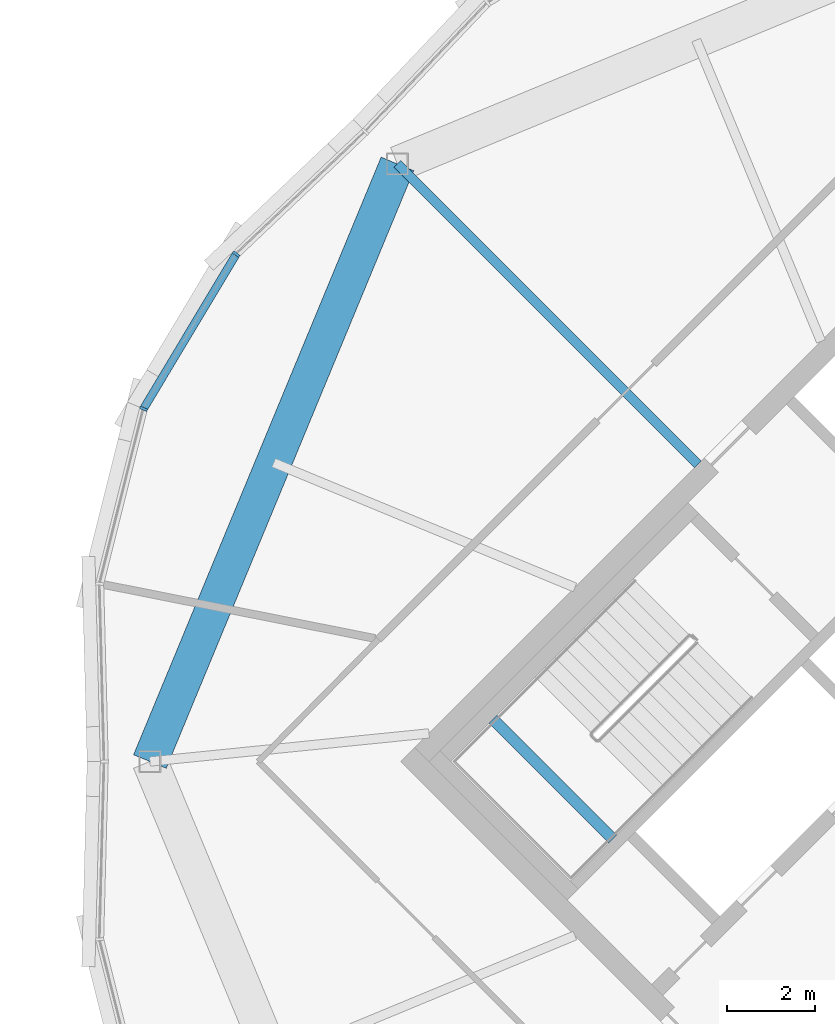
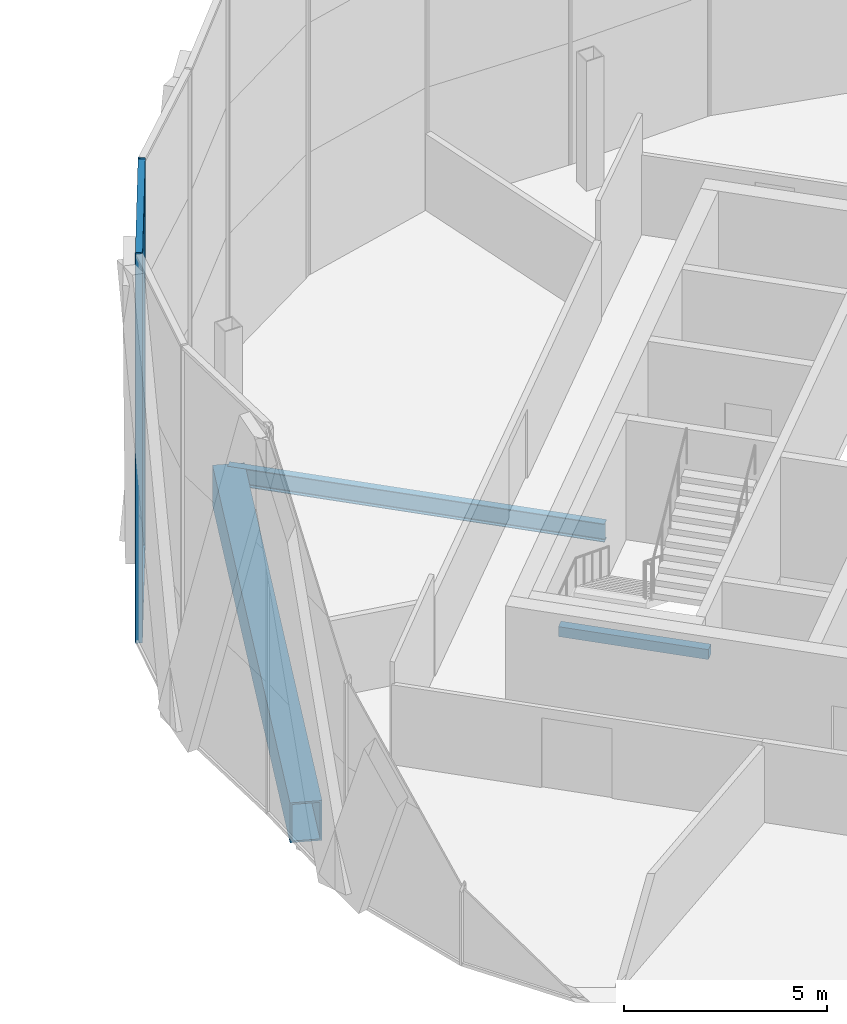
# One storey, part 9 of 22: 4 members, 3 beams, 1 element without a shape of its own.
"""IFC4 building model written with IfcOpenShell, lengths in metres."""

from ifc_helpers import new_model, si_unit, direction, frame, origin, origin_2d, place, context, subcontext, project, spatial, rectangle, hollow_rectangle, i_section, extrude, material, material_profile, profile_set, type_object, element, aggregate, save


model = new_model("IFC4")

# Units and contexts
model_context = context("Model", 3, precision=1e-05, world=origin(), true_north=direction((0.0, 1.0)))
body_context = subcontext(model_context, "Body", "Model", "MODEL_VIEW")
ifc_project = project(units=[si_unit("LENGTHUNIT", "METRE"), si_unit("AREAUNIT", "SQUARE_METRE"), si_unit("VOLUMEUNIT", "CUBIC_METRE"), si_unit("PLANEANGLEUNIT", "RADIAN"), si_unit("MASSUNIT", "GRAM", prefix="KILO")], contexts=[model_context])

# Site, building, storey
site_placement = place(None, origin())
site = spatial("IfcSite", under=ifc_project, at=site_placement, CompositionType="ELEMENT")
building_placement = place(site_placement, origin())
building = spatial("IfcBuilding", under=site, at=building_placement, Name="Ogive Gate Towers", CompositionType="ELEMENT")
storey_placement = place(building_placement, frame((0.0, 0.0, 228.89990234375)))
storey = spatial("IfcBuildingStorey", under=building, at=storey_placement, Name="L54", CompositionType="ELEMENT", Elevation=228.89990234375)

# Beams
ifc_material_1 = material(Name="Steel SM460", Category="steel")
ifc_material_profile_1 = material_profile(ifc_material_1, hollow_rectangle(XDim=0.800048828125, YDim=1.199951171875, WallThickness=0.050048828125, at=origin_2d()), Name="BX 1200x800x50")
ifc_profile_set_1 = profile_set([ifc_material_profile_1], Name="Steel SM460")
beam_type_1 = type_object("IfcBeamType", Name="Edge girder BX 1200x800x50", PredefinedType="BEAM", material=ifc_profile_set_1)
beam_1_placement = place(storey_placement, frame((22.4873046875, 13.5126953125, -0.89990234375), z_axis=(-0.38269921506, -0.923872994947, 0.0), x_axis=(0.923872994947, -0.38269921506, 0.0)))
element("IfcBeam", 1, at=beam_1_placement, inside=storey, type_object=beam_type_1, Name="T2/L54/SBM023", PredefinedType="BEAM", context=body_context, shape_type="SweptSolid", body=[
    extrude(hollow_rectangle(XDim=0.800048828125, YDim=1.199951171875, WallThickness=0.050048828125, at=origin_2d()), origin(), (0.0, 0.0, 1.0), 14.626220703125),
])
ifc_material_2 = material(Name="Concrete C40/50", Category="concrete")
ifc_material_profile_2 = material_profile(ifc_material_2, rectangle(XDim=0.25, YDim=0.300048828125, at=origin_2d()), Name="RC 250x300")
ifc_profile_set_2 = profile_set([ifc_material_profile_2], Name="Concrete C40/50")
beam_type_2 = type_object("IfcBeamType", Name="Landing bearer RC 250x300", PredefinedType="BEAM", material=ifc_profile_set_2)
beam_2_placement = place(storey_placement, frame((24.650390625, 0.9541015625, 1.60009765625), z_axis=(0.707106781187, -0.707106781187, 0.0), x_axis=(0.707106781187, 0.707106781187, 0.0)))
element("IfcBeam", 2, at=beam_2_placement, inside=storey, type_object=beam_type_2, Name="T2 L54 stair 1 landing bearer 1", PredefinedType="BEAM", context=body_context, shape_type="SweptSolid", body=[
    extrude(rectangle(XDim=0.25, YDim=0.300048828125, at=origin_2d()), origin(), (0.0, 0.0, 1.0), 3.824951171875),
])
ifc_material_3 = material(Name="Steel SM355", Category="steel")
ifc_material_profile_3 = material_profile(ifc_material_3, i_section(OverallWidth=0.2099609375, OverallDepth=0.550048828125, WebThickness=0.010986328125, FlangeThickness=0.01708984375, FilletRadius=0.02392578125, at=origin_2d()), Name="IPE 550")
ifc_profile_set_3 = profile_set([ifc_material_profile_3], Name="Steel SM355")
beam_type_3 = type_object("IfcBeamType", Name="Radial floor beam IPE 550", PredefinedType="BEAM", material=ifc_profile_set_3)
beam_3_placement = place(storey_placement, frame((29.282470703125, 6.717529296875, -0.574951171875), z_axis=(-0.707106781187, 0.707106781187, 0.0), x_axis=(-0.707106781187, -0.707106781187, 0.0)))
element("IfcBeam", 3, at=beam_3_placement, inside=storey, type_object=beam_type_3, Name="T2/L54/SBM013", PredefinedType="BEAM", context=body_context, shape_type="SweptSolid", body=[
    extrude(i_section(OverallWidth=0.2099609375, OverallDepth=0.550048828125, WebThickness=0.010986328125, FlangeThickness=0.01708984375, FilletRadius=0.02392578125, at=origin_2d()), origin(), (0.0, 0.0, 1.0), 9.60986328125),
])

# Curtain wall, members
ifc_material_4 = material(Name="Pale metal aluminium", Category="aluminium")
curtain_wall_type = type_object("IfcCurtainWallType", Name="Tower unitised wall, high zone", PredefinedType="NOTDEFINED", material=ifc_material_4)
curtain_wall_placement = place(storey_placement, origin())
curtain_wall = element("IfcCurtainWall", 4, at=curtain_wall_placement, inside=storey, type_object=curtain_wall_type, Name="CW2 T2 ECW04", PredefinedType="NOTDEFINED")
ifc_material_profile_4 = material_profile(ifc_material_4, rectangle(XDim=0.179931640625, YDim=0.06005859375, at=origin_2d()), Name="60 x 180 aluminium box")
ifc_profile_set_4 = profile_set([ifc_material_profile_4], Name="Pale metal aluminium")
member_type_1 = type_object("IfcMemberType", Name="Tower unitised wall, high zone mullion 60 x 180", PredefinedType="MULLION", material=ifc_profile_set_4)
member_1_placement = place(storey_placement, frame((18.84228515625, 11.473876953125, -0.2998046875), z_axis=(0.0, 0.0, 1.0), x_axis=(-0.780201191521, 0.625528657017, 0.0)))
member_1 = element("IfcMember", 5, at=member_1_placement, type_object=member_type_1, Name="CW2 mullion", PredefinedType="MULLION", context=body_context, shape_type="SweptSolid", body=[
    extrude(rectangle(XDim=0.179931640625, YDim=0.06005859375, at=origin_2d()), origin(), (0.0, 0.0, 1.0), 11.699951171875),
])
member_2_placement = place(storey_placement, frame((16.745361328125, 7.9755859375, -0.2998046875), z_axis=(0.0, 0.0, 1.0), x_axis=(-0.923872853285, 0.382699557047, 0.0)))
member_2 = element("IfcMember", 6, at=member_2_placement, type_object=member_type_1, Name="CW2 mullion", PredefinedType="MULLION", context=body_context, shape_type="SweptSolid", body=[
    extrude(rectangle(XDim=0.179931640625, YDim=0.06005859375, at=origin_2d()), origin(), (0.0, 0.0, 1.0), 11.699951171875),
])
ifc_material_profile_5 = material_profile(ifc_material_4, rectangle(XDim=0.179931640625, YDim=0.10009765625, at=origin_2d()), Name="100 x 180 aluminium box")
ifc_profile_set_5 = profile_set([ifc_material_profile_5], Name="Pale metal aluminium")
member_type_2 = type_object("IfcMemberType", Name="Tower unitised wall, high zone transom 100 x 180", PredefinedType="USERDEFINED", material=ifc_profile_set_5)
member_3_placement = place(storey_placement, frame((18.827880859375, 11.44921875, 11.35009765625), z_axis=(-0.514192185894, -0.857674994369, 0.0), x_axis=(0.857674994369, -0.514192185894, 0.0)))
member_3 = element("IfcMember", 7, at=member_3_placement, type_object=member_type_2, Name="CW2 transom", ObjectType="TRANSOM", PredefinedType="USERDEFINED", context=body_context, shape_type="SweptSolid", body=[
    extrude(rectangle(XDim=0.179931640625, YDim=0.10009765625, at=origin_2d()), origin(), (0.0, 0.0, 1.0), 4.021484375),
])
member_4_placement = place(storey_placement, frame((18.827880859375, 11.44921875, -0.25), z_axis=(-0.514192185894, -0.857674994369, 0.0), x_axis=(0.857674994369, -0.514192185894, 0.0)))
member_4 = element("IfcMember", 8, at=member_4_placement, type_object=member_type_2, Name="CW2 transom", ObjectType="TRANSOM", PredefinedType="USERDEFINED", context=body_context, shape_type="SweptSolid", body=[
    extrude(rectangle(XDim=0.179931640625, YDim=0.10009765625, at=origin_2d()), origin(), (0.0, 0.0, 1.0), 4.021484375),
])
aggregate(curtain_wall, [member_1, member_2, member_3, member_4])

save(model, "model.ifc")
